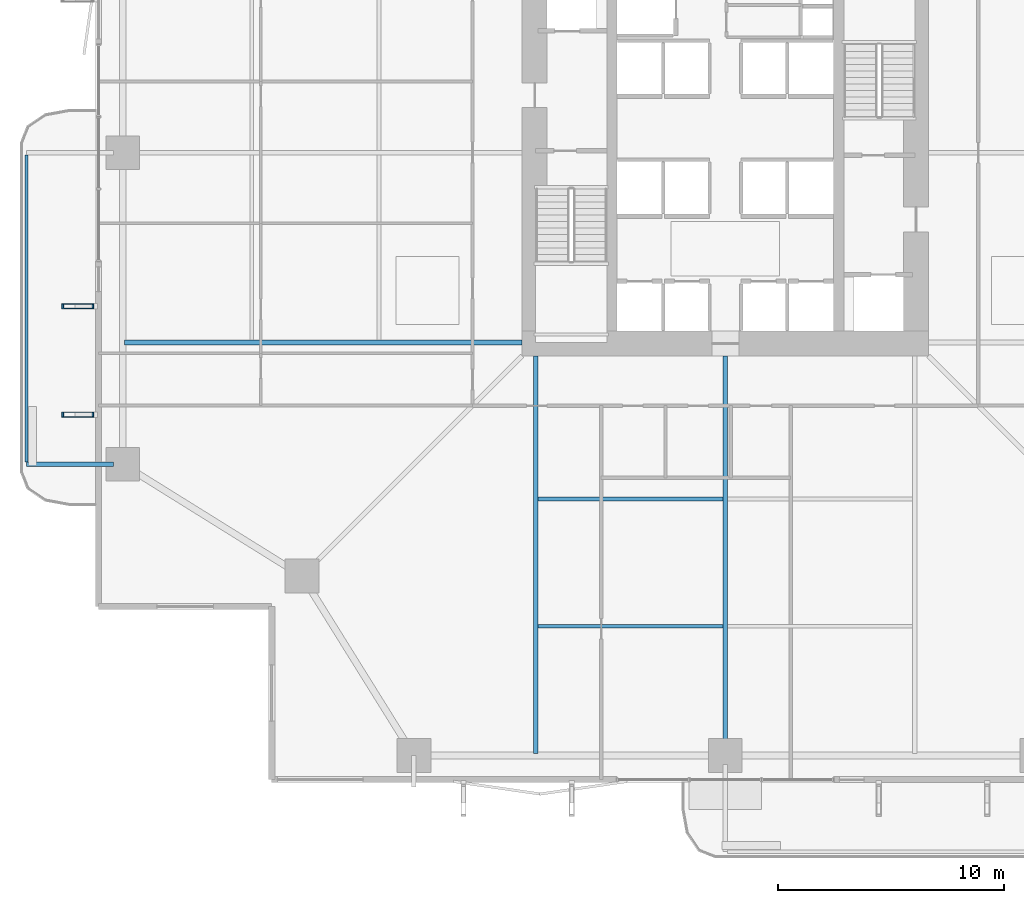
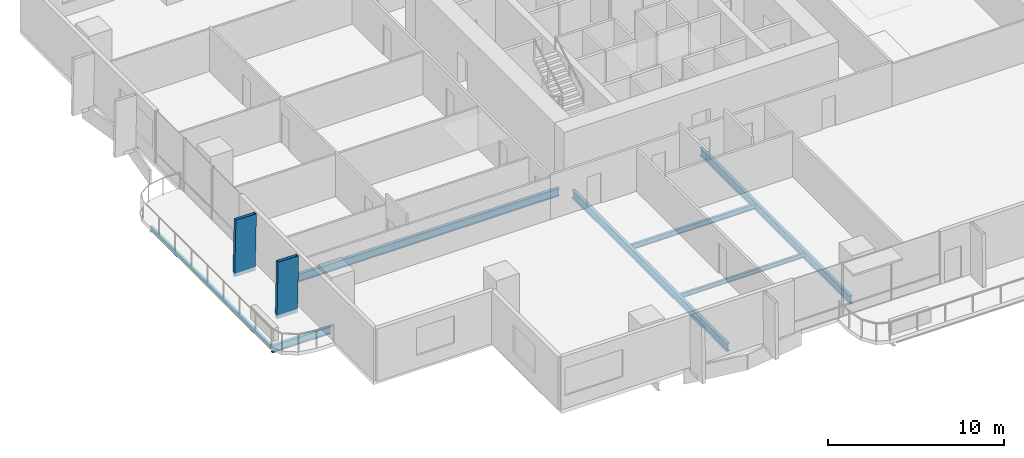
# One storey, part 3 of 24: 7 beams, 2 members.
"""IFC4 building model written with IfcOpenShell, lengths in metres."""

from ifc_helpers import new_model, si_unit, direction, frame, origin, origin_2d, place, context, subcontext, project, spatial, hollow_rectangle, i_section, extrude, material, material_profile, profile_set, type_object, element, save


model = new_model("IFC4")

# Units and contexts
model_context = context("Model", 3, precision=1e-05, world=origin(), true_north=direction((0.0, 1.0)))
body_context = subcontext(model_context, "Body", "Model", "MODEL_VIEW")
ifc_project = project(units=[si_unit("LENGTHUNIT", "METRE"), si_unit("AREAUNIT", "SQUARE_METRE"), si_unit("VOLUMEUNIT", "CUBIC_METRE"), si_unit("PLANEANGLEUNIT", "RADIAN"), si_unit("MASSUNIT", "GRAM", prefix="KILO")], contexts=[model_context])

# Site, building, storey
site_placement = place(None, origin())
site = spatial("IfcSite", under=ifc_project, at=site_placement, CompositionType="ELEMENT")
building_placement = place(site_placement, origin())
building = spatial("IfcBuilding", under=site, at=building_placement, Name="Belovzor Exchange Tower", CompositionType="ELEMENT")
storey_placement = place(building_placement, frame((0.0, 0.0, 80.699951171875)))
storey = spatial("IfcBuildingStorey", under=building, at=storey_placement, Name="L19", CompositionType="ELEMENT", Elevation=80.699951171875)

# Members
ifc_material_1 = material(Name="Extruded Architectural Terracotta on Steel S355 Carrier", Category="masonry")
ifc_material_profile_1 = material_profile(ifc_material_1, hollow_rectangle(XDim=0.219970703125, YDim=1.35009765625, WallThickness=0.013916015625, at=origin_2d()))
ifc_profile_set_1 = profile_set([ifc_material_profile_1], Name="Extruded Architectural Terracotta on Steel S355 Carrier")
member_type = type_object("IfcMemberType", Name="Base Arc Sweeping Terracotta Pylon Fin 1450", PredefinedType="USERDEFINED", material=ifc_profile_set_1)
for number, where, z_axis, x_axis, name in (
    (1, (0.072021484375, 17.199951171875, -0.25), (0.019964721036, 0.0, 0.999800685094), (0.0, 1.0, 0.0), "FIN-TC145 Terracotta Facade Fin L19 W1"),
    (2, (0.072021484375, 22.0, -0.25), (0.019964721036, 0.0, 0.999800685094), (0.0, 1.0, 0.0), "FIN-TC145 Terracotta Facade Fin L19 W2"),
):
    element("IfcMember", number, at=place(storey_placement, frame(where, z_axis=z_axis, x_axis=x_axis)), inside=storey, type_object=member_type, Name=name, ObjectType="FIN", PredefinedType="USERDEFINED", context=body_context, shape_type="SweptSolid", body=[
        extrude(hollow_rectangle(XDim=0.219970703125, YDim=1.35009765625, WallThickness=0.013916015625, at=origin_2d()), origin(), (0.0, 0.0, 1.0), 3.90087890625),
    ])

# Beams
ifc_material_2 = material(Name="Steel S355", Category="steel")
ifc_material_profile_2 = material_profile(ifc_material_2, i_section(OverallWidth=0.199951171875, OverallDepth=0.5, WebThickness=0.01025390625, FlangeThickness=0.01611328125, at=origin_2d()))
ifc_profile_set_2 = profile_set([ifc_material_profile_2], Name="Steel S355")
beam_type_1 = type_object("IfcBeamType", Name="Planted Balcony Cantilever Beam IPE 500", PredefinedType="BEAM", material=ifc_profile_set_2)
beam_1_placement = place(storey_placement, frame((1.68798828125, 15.0, -0.5), z_axis=(-1.0, 0.0, 0.0), x_axis=(0.0, -1.0, 0.0)))
element("IfcBeam", 3, at=beam_1_placement, inside=storey, type_object=beam_type_1, Name="BC-500 Planted Balcony Cantilever Beam IPE 500", PredefinedType="BEAM", context=body_context, shape_type="SweptSolid", body=[
    extrude(i_section(OverallWidth=0.199951171875, OverallDepth=0.5, WebThickness=0.01025390625, FlangeThickness=0.01611328125, at=origin_2d()), origin(), (0.0, 0.0, 1.0), 3.85009765625),
])
ifc_material_3 = material(Name="Steel S355", Category="steel")
ifc_material_profile_3 = material_profile(ifc_material_3, i_section(OverallWidth=0.14990234375, OverallDepth=0.300048828125, WebThickness=0.007080078125, FlangeThickness=0.0107421875, at=origin_2d()))
ifc_profile_set_3 = profile_set([ifc_material_profile_3], Name="Steel S355")
beam_type_2 = type_object("IfcBeamType", Name="Planted Balcony Fascia Edge Beam IPE 300", PredefinedType="BEAM", material=ifc_profile_set_3)
beam_2_placement = place(storey_placement, frame((-2.162109375, 28.699951171875, -0.39990234375), z_axis=(0.0, -1.0, 0.0), x_axis=(1.0, 0.0, 0.0)))
element("IfcBeam", 4, at=beam_2_placement, inside=storey, type_object=beam_type_2, Name="BC-300 Planted Balcony Fascia Edge Beam IPE 300", PredefinedType="BEAM", context=body_context, shape_type="SweptSolid", body=[
    extrude(i_section(OverallWidth=0.14990234375, OverallDepth=0.300048828125, WebThickness=0.007080078125, FlangeThickness=0.0107421875, at=origin_2d()), origin(), (0.0, 0.0, 1.0), 13.599853515625),
])
ifc_material_4 = material(Name="Steel S355", Category="steel")
ifc_material_profile_4 = material_profile(ifc_material_4, i_section(OverallWidth=0.169921875, OverallDepth=0.360107421875, WebThickness=0.008056640625, FlangeThickness=0.0126953125, at=origin_2d()))
ifc_profile_set_4 = profile_set([ifc_material_profile_4], Name="Steel S355")
beam_type_3 = type_object("IfcBeamType", Name="Secondary Infill Floor Joist IPE 360", PredefinedType="BEAM", material=ifc_profile_set_4)
beam_3_placement = place(storey_placement, frame((20.5048828125, 13.455078125, -0.429931640625), z_axis=(1.0, 0.0, 0.0), x_axis=(0.0, 1.0, 0.0)))
element("IfcBeam", 5, at=beam_3_placement, inside=storey, type_object=beam_type_3, Name="FJ-360 Secondary Infill Floor Joist IPE 360", PredefinedType="BEAM", context=body_context, shape_type="SweptSolid", body=[
    extrude(i_section(OverallWidth=0.169921875, OverallDepth=0.360107421875, WebThickness=0.008056640625, FlangeThickness=0.0126953125, at=origin_2d()), origin(), (0.0, 0.0, 1.0), 8.190185546875),
])
ifc_material_5 = material(Name="Steel S355", Category="steel")
ifc_material_profile_5 = material_profile(ifc_material_5, i_section(OverallWidth=0.14990234375, OverallDepth=0.300048828125, WebThickness=0.007080078125, FlangeThickness=0.0107421875, at=origin_2d()))
ifc_profile_set_5 = profile_set([ifc_material_profile_5], Name="Steel S355")
beam_type_4 = type_object("IfcBeamType", Name="Secondary Trim Floor Joist IPE 300", PredefinedType="BEAM", material=ifc_profile_set_5)
beam_4_placement = place(storey_placement, frame((20.5048828125, 7.81494140625, -0.39990234375), z_axis=(1.0, 0.0, 0.0), x_axis=(0.0, 1.0, 0.0)))
element("IfcBeam", 6, at=beam_4_placement, inside=storey, type_object=beam_type_4, Name="FJ-300 Secondary Trim Floor Joist IPE 300", PredefinedType="BEAM", context=body_context, shape_type="SweptSolid", body=[
    extrude(i_section(OverallWidth=0.14990234375, OverallDepth=0.300048828125, WebThickness=0.007080078125, FlangeThickness=0.0107421875, at=origin_2d()), origin(), (0.0, 0.0, 1.0), 8.190185546875),
])
ifc_material_6 = material(Name="Steel S355", Category="steel")
ifc_material_profile_6 = material_profile(ifc_material_6, i_section(OverallWidth=0.2099609375, OverallDepth=0.550048828125, WebThickness=0.010986328125, FlangeThickness=0.01708984375, at=origin_2d()))
ifc_profile_set_6 = profile_set([ifc_material_profile_6], Name="Steel S355")
beam_type_5 = type_object("IfcBeamType", Name="Zone 1 Radial Composite Floor Beam IPE 550", PredefinedType="BEAM", material=ifc_profile_set_6)
beam_5_placement = place(storey_placement, frame((20.39990234375, 19.800048828125, -0.52490234375), z_axis=(0.0, -1.0, 0.0), x_axis=(1.0, 0.0, 0.0)))
element("IfcBeam", 7, at=beam_5_placement, inside=storey, type_object=beam_type_5, Name="FB-550 Zone 1 Radial Composite Floor Beam IPE 550", PredefinedType="BEAM", context=body_context, shape_type="SweptSolid", body=[
    extrude(i_section(OverallWidth=0.2099609375, OverallDepth=0.550048828125, WebThickness=0.010986328125, FlangeThickness=0.01708984375, at=origin_2d()), origin(), (0.0, 0.0, 1.0), 17.625),
])
beam_6_placement = place(storey_placement, frame((28.800048828125, 19.800048828125, -0.52490234375), z_axis=(0.0, -1.0, 0.0), x_axis=(1.0, 0.0, 0.0)))
element("IfcBeam", 8, at=beam_6_placement, inside=storey, type_object=beam_type_5, Name="FB-550 Zone 1 Radial Composite Floor Beam IPE 550", PredefinedType="BEAM", context=body_context, shape_type="SweptSolid", body=[
    extrude(i_section(OverallWidth=0.2099609375, OverallDepth=0.550048828125, WebThickness=0.010986328125, FlangeThickness=0.01708984375, at=origin_2d()), origin(), (0.0, 0.0, 1.0), 17.0400390625),
])
beam_7_placement = place(storey_placement, frame((19.800048828125, 20.39990234375, -0.52490234375), z_axis=(-1.0, 0.0, 0.0), x_axis=(0.0, -1.0, 0.0)))
element("IfcBeam", 9, at=beam_7_placement, inside=storey, type_object=beam_type_5, Name="FB-550 Zone 1 Radial Composite Floor Beam IPE 550", PredefinedType="BEAM", context=body_context, shape_type="SweptSolid", body=[
    extrude(i_section(OverallWidth=0.2099609375, OverallDepth=0.550048828125, WebThickness=0.010986328125, FlangeThickness=0.01708984375, at=origin_2d()), origin(), (0.0, 0.0, 1.0), 17.625),
])

save(model, "model.ifc")
